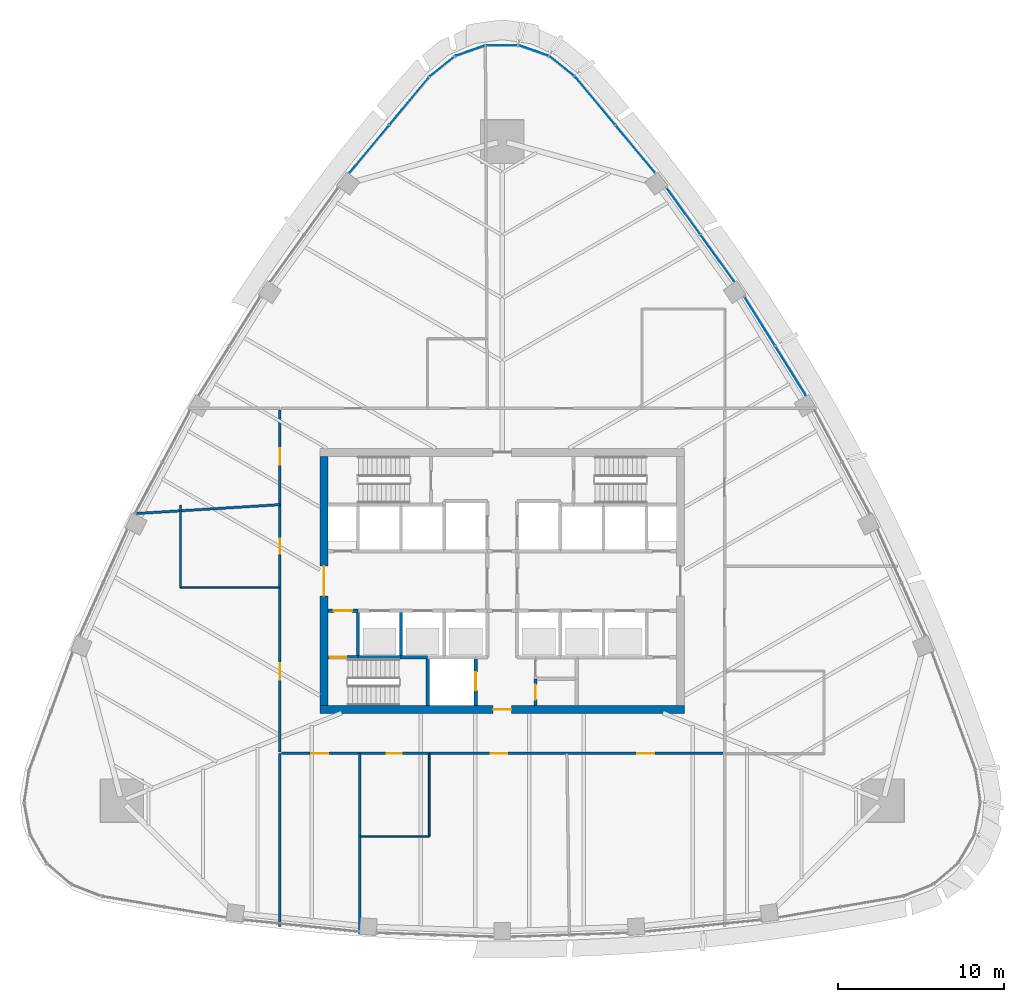
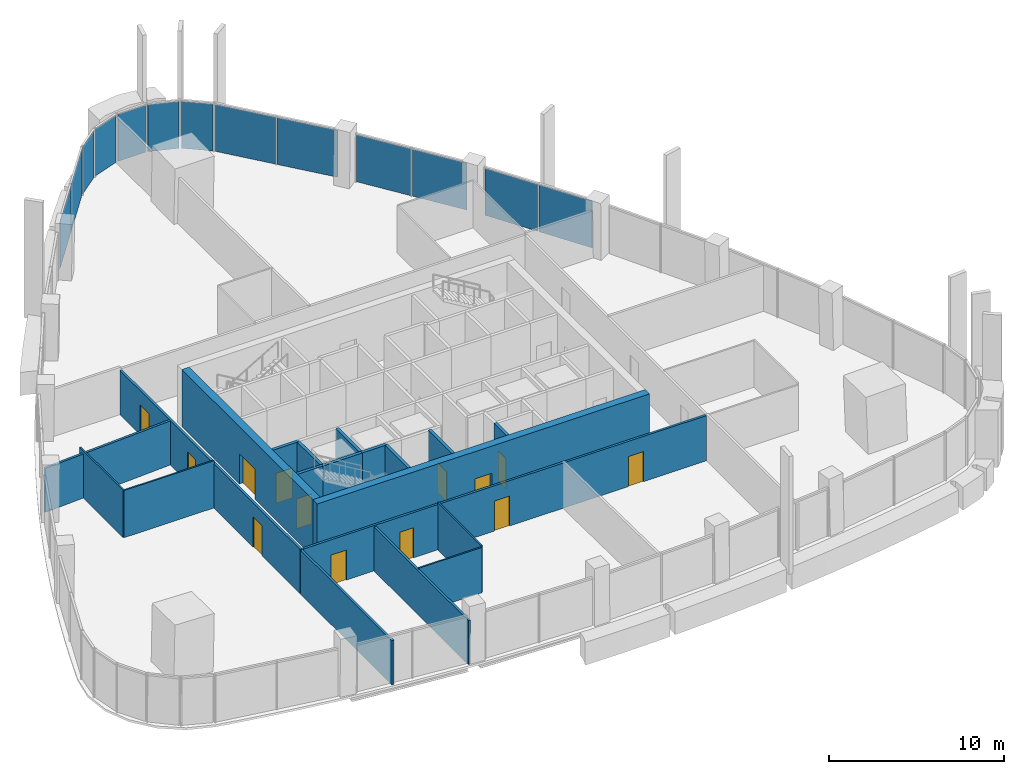
# One storey, part 9 of 17: 20 walls, 13 doors, 13 plates, 13 openings, 9 elements without a shape of their own.
"""IFC4 building model written with IfcOpenShell, lengths in metres."""

from ifc_helpers import new_model, si_unit, direction, frame, frame_2d, origin, origin_2d, place, context, subcontext, project, spatial, rectangle, extrude, material, layer, layer_set, type_object, element, fill, aggregate, save


model = new_model("IFC4")

# Units and contexts
model_context = context("Model", 3, precision=1e-05, world=origin(), true_north=direction((0.0, 1.0)))
body_context = subcontext(model_context, "Body", "Model", "MODEL_VIEW")
ifc_project = project(units=[si_unit("LENGTHUNIT", "METRE"), si_unit("AREAUNIT", "SQUARE_METRE"), si_unit("VOLUMEUNIT", "CUBIC_METRE"), si_unit("PLANEANGLEUNIT", "RADIAN"), si_unit("MASSUNIT", "GRAM", prefix="KILO")], contexts=[model_context])

# Site, building, storey
site_placement = place(None, origin())
site = spatial("IfcSite", under=ifc_project, at=site_placement, CompositionType="ELEMENT")
building_placement = place(site_placement, origin())
building = spatial("IfcBuilding", under=site, at=building_placement, Name="Sierra Prisma Convention Tower", CompositionType="ELEMENT")
storey_placement = place(building_placement, frame((0.0, 0.0, 201.800048828125)))
storey = spatial("IfcBuildingStorey", under=building, at=storey_placement, Name="L45", CompositionType="ELEMENT", Elevation=201.800048828125)

# Curtain wall, plates
ifc_material_1 = material(Name="Aluminium and glass curtain wall", Category="aluminium")
ifc_layer_1 = layer(ifc_material_1, 0.179931640625)
ifc_layer_set_1 = layer_set([ifc_layer_1], Name="CW-1 Plain shaft curtain wall")
curtain_wall_type = type_object("IfcCurtainWallType", Name="CW-1 Plain shaft curtain wall", PredefinedType="NOTDEFINED", material=ifc_layer_set_1)
curtain_wall_1_placement = place(storey_placement, origin())
curtain_wall_1 = element("IfcCurtainWall", 1, at=curtain_wall_1_placement, inside=storey, type_object=curtain_wall_type, Name="CW-1 NE4 L45", PredefinedType="NOTDEFINED")
ifc_material_2 = material(Name="Tinted glass bronze-grey IGU", Category="glass")
ifc_layer_2 = layer(ifc_material_2, 0.028076171875)
ifc_layer_set_2 = layer_set([ifc_layer_2], Name="CW-1 glass panel")
plate_type = type_object("IfcPlateType", Name="CW-1 glass panel", PredefinedType="CURTAIN_PANEL", material=ifc_layer_set_2)
plate_1_placement = place(storey_placement, frame((17.379150390625, 12.67724609375, 0.0), z_axis=(0.0, 0.0, 1.0), x_axis=(-0.529086185353, 0.848568093007, 0.0)))
plate_1 = element("IfcPlate", 2, at=plate_1_placement, type_object=plate_type, Name="CW-1 panel NE4.1", PredefinedType="CURTAIN_PANEL", context=body_context, shape_type="SweptSolid", body=[
    extrude(rectangle(XDim=3.44091796875, YDim=0.028076171875, at=origin_2d()), origin(), (0.0, 0.0, 1.0), 3.280029296875),
])
plate_2_placement = place(storey_placement, frame((15.521728515625, 15.65625, 0.0), z_axis=(0.0, 0.0, 1.0), x_axis=(-0.529086185353, 0.848568093007, 0.0)))
plate_2 = element("IfcPlate", 3, at=plate_2_placement, type_object=plate_type, Name="CW-1 panel NE4.2", PredefinedType="CURTAIN_PANEL", context=body_context, shape_type="SweptSolid", body=[
    extrude(rectangle(XDim=3.44091796875, YDim=0.028076171875, at=origin_2d()), origin(), (0.0, 0.0, 1.0), 3.280029296875),
])
aggregate(curtain_wall_1, [plate_1, plate_2])

curtain_wall_2_placement = place(storey_placement, origin())
curtain_wall_2 = element("IfcCurtainWall", 4, at=curtain_wall_2_placement, inside=storey, type_object=curtain_wall_type, Name="CW-1 NE5 L45", PredefinedType="NOTDEFINED")
plate_3_placement = place(storey_placement, frame((12.967041015625, 19.4609375, 0.0), z_axis=(0.0, 0.0, 1.0), x_axis=(-0.585399225548, 0.810745179898, 0.0)))
plate_3 = element("IfcPlate", 5, at=plate_3_placement, type_object=plate_type, Name="CW-1 panel NE5.1", PredefinedType="CURTAIN_PANEL", context=body_context, shape_type="SweptSolid", body=[
    extrude(rectangle(XDim=3.425537109375, YDim=0.028076171875, at=origin_2d()), origin(), (0.0, 0.0, 1.0), 3.280029296875),
])
plate_4_placement = place(storey_placement, frame((10.9208984375, 22.294921875, 0.0), z_axis=(0.0, 0.0, 1.0), x_axis=(-0.585399225548, 0.810745179898, 0.0)))
plate_4 = element("IfcPlate", 6, at=plate_4_placement, type_object=plate_type, Name="CW-1 panel NE5.2", PredefinedType="CURTAIN_PANEL", context=body_context, shape_type="SweptSolid", body=[
    extrude(rectangle(XDim=3.425537109375, YDim=0.028076171875, at=origin_2d()), origin(), (0.0, 0.0, 1.0), 3.280029296875),
])
aggregate(curtain_wall_2, [plate_3, plate_4])

curtain_wall_3_placement = place(storey_placement, origin())
curtain_wall_3 = element("IfcCurtainWall", 7, at=curtain_wall_3_placement, inside=storey, type_object=curtain_wall_type, Name="CW-1 NE6 L45", PredefinedType="NOTDEFINED")
plate_5_placement = place(storey_placement, frame((8.01416015625, 26.04052734375, 0.0), z_axis=(0.0, 0.0, 1.0), x_axis=(-0.639018415832, 0.769191435358, 0.0)))
plate_5 = element("IfcPlate", 8, at=plate_5_placement, type_object=plate_type, Name="CW-1 panel NE6.1", PredefinedType="CURTAIN_PANEL", context=body_context, shape_type="SweptSolid", body=[
    extrude(rectangle(XDim=3.69677734375, YDim=0.028076171875, at=origin_2d()), origin(), (0.0, 0.0, 1.0), 3.280029296875),
])
plate_6_placement = place(storey_placement, frame((5.60693359375, 28.93798828125, 0.0), z_axis=(0.0, 0.0, 1.0), x_axis=(-0.639018415832, 0.769191435358, 0.0)))
plate_6 = element("IfcPlate", 9, at=plate_6_placement, type_object=plate_type, Name="CW-1 panel NE6.2", PredefinedType="CURTAIN_PANEL", context=body_context, shape_type="SweptSolid", body=[
    extrude(rectangle(XDim=3.69677734375, YDim=0.028076171875, at=origin_2d()), origin(), (0.0, 0.0, 1.0), 3.280029296875),
])
aggregate(curtain_wall_3, [plate_5, plate_6])

# Curtain wall, plate
curtain_wall_4_placement = place(storey_placement, origin())
curtain_wall_4 = element("IfcCurtainWall", 10, at=curtain_wall_4_placement, inside=storey, type_object=curtain_wall_type, Name="CW-1 N1 L45", PredefinedType="NOTDEFINED")
plate_7_placement = place(storey_placement, frame((3.612060546875, 31.029052734375, 0.0), z_axis=(0.0, 0.0, 1.0), x_axis=(-0.780756777568, 0.624835061661, 0.0)))
plate_7 = element("IfcPlate", 11, at=plate_7_placement, type_object=plate_type, Name="CW-1 panel N1.1", PredefinedType="CURTAIN_PANEL", context=body_context, shape_type="SweptSolid", body=[
    extrude(rectangle(XDim=1.82958984375, YDim=0.028076171875, at=origin_2d()), origin(), (0.0, 0.0, 1.0), 3.280029296875),
])
aggregate(curtain_wall_4, [plate_7])

curtain_wall_5_placement = place(storey_placement, origin())
curtain_wall_5 = element("IfcCurtainWall", 12, at=curtain_wall_5_placement, inside=storey, type_object=curtain_wall_type, Name="CW-1 N2 L45", PredefinedType="NOTDEFINED")
plate_8_placement = place(storey_placement, frame((1.9140625, 31.970458984375, 0.0), z_axis=(0.0, 0.0, 1.0), x_axis=(-0.943598637549, 0.331091545068, 0.0)))
plate_8 = element("IfcPlate", 13, at=plate_8_placement, type_object=plate_type, Name="CW-1 panel N2.1", PredefinedType="CURTAIN_PANEL", context=body_context, shape_type="SweptSolid", body=[
    extrude(rectangle(XDim=1.82958984375, YDim=0.028076171875, at=origin_2d()), origin(), (0.0, 0.0, 1.0), 3.280029296875),
])
aggregate(curtain_wall_5, [plate_8])

curtain_wall_6_placement = place(storey_placement, origin())
curtain_wall_6 = element("IfcCurtainWall", 14, at=curtain_wall_6_placement, inside=storey, type_object=curtain_wall_type, Name="CW-1 N3 L45", PredefinedType="NOTDEFINED")
plate_9_placement = place(storey_placement, frame((0.0, 32.29638671875, 0.0), z_axis=(0.0, 0.0, 1.0), x_axis=(-1.0, 0.0, 0.0)))
plate_9 = element("IfcPlate", 15, at=plate_9_placement, type_object=plate_type, Name="CW-1 panel N3.1", PredefinedType="CURTAIN_PANEL", context=body_context, shape_type="SweptSolid", body=[
    extrude(rectangle(XDim=1.82958984375, YDim=0.028076171875, at=origin_2d()), origin(), (0.0, 0.0, 1.0), 3.280029296875),
])
aggregate(curtain_wall_6, [plate_9])

curtain_wall_7_placement = place(storey_placement, origin())
curtain_wall_7 = element("IfcCurtainWall", 16, at=curtain_wall_7_placement, inside=storey, type_object=curtain_wall_type, Name="CW-1 N4 L45", PredefinedType="NOTDEFINED")
plate_10_placement = place(storey_placement, frame((-1.9140625, 31.970458984375, 0.0), z_axis=(0.0, 0.0, 1.0), x_axis=(-0.943598637549, -0.331091545068, 0.0)))
plate_10 = element("IfcPlate", 17, at=plate_10_placement, type_object=plate_type, Name="CW-1 panel N4.1", PredefinedType="CURTAIN_PANEL", context=body_context, shape_type="SweptSolid", body=[
    extrude(rectangle(XDim=1.82958984375, YDim=0.028076171875, at=origin_2d()), origin(), (0.0, 0.0, 1.0), 3.280029296875),
])
aggregate(curtain_wall_7, [plate_10])

curtain_wall_8_placement = place(storey_placement, origin())
curtain_wall_8 = element("IfcCurtainWall", 18, at=curtain_wall_8_placement, inside=storey, type_object=curtain_wall_type, Name="CW-1 N5 L45", PredefinedType="NOTDEFINED")
plate_11_placement = place(storey_placement, frame((-3.612060546875, 31.029052734375, 0.0), z_axis=(0.0, 0.0, 1.0), x_axis=(-0.780756777568, -0.624835061661, 0.0)))
plate_11 = element("IfcPlate", 19, at=plate_11_placement, type_object=plate_type, Name="CW-1 panel N5.1", PredefinedType="CURTAIN_PANEL", context=body_context, shape_type="SweptSolid", body=[
    extrude(rectangle(XDim=1.82958984375, YDim=0.028076171875, at=origin_2d()), origin(), (0.0, 0.0, 1.0), 3.280029296875),
])
aggregate(curtain_wall_8, [plate_11])

# Curtain wall, plates
curtain_wall_9_placement = place(storey_placement, origin())
curtain_wall_9 = element("IfcCurtainWall", 20, at=curtain_wall_9_placement, inside=storey, type_object=curtain_wall_type, Name="CW-1 NW1 L45", PredefinedType="NOTDEFINED")
plate_12_placement = place(storey_placement, frame((-5.60693359375, 28.93798828125, 0.0), z_axis=(0.0, 0.0, 1.0), x_axis=(-0.639018415832, -0.769191435358, 0.0)))
plate_12 = element("IfcPlate", 21, at=plate_12_placement, type_object=plate_type, Name="CW-1 panel NW1.1", PredefinedType="CURTAIN_PANEL", context=body_context, shape_type="SweptSolid", body=[
    extrude(rectangle(XDim=3.69677734375, YDim=0.028076171875, at=origin_2d()), origin(), (0.0, 0.0, 1.0), 3.280029296875),
])
plate_13_placement = place(storey_placement, frame((-8.01416015625, 26.04052734375, 0.0), z_axis=(0.0, 0.0, 1.0), x_axis=(-0.639018415832, -0.769191435358, 0.0)))
plate_13 = element("IfcPlate", 22, at=plate_13_placement, type_object=plate_type, Name="CW-1 panel NW1.2", PredefinedType="CURTAIN_PANEL", context=body_context, shape_type="SweptSolid", body=[
    extrude(rectangle(XDim=3.69677734375, YDim=0.028076171875, at=origin_2d()), origin(), (0.0, 0.0, 1.0), 3.280029296875),
])
aggregate(curtain_wall_9, [plate_12, plate_13])

# Walls
ifc_material_3 = material(Name="Gypsum board partition", Category="gypsum")
ifc_layer_3 = layer(ifc_material_3, 0.10009765625)
ifc_layer_set_3 = layer_set([ifc_layer_3], Name="Bathroom partition 100")
wall_type_1 = type_object("IfcWallType", Name="Bathroom partition 100", PredefinedType="PARTITIONING", material=ifc_layer_set_3)
wall_1_placement = place(storey_placement, frame((-13.429931640625, -0.39990234375, 0.0), z_axis=(0.0, 0.0, 1.0), x_axis=(-1.0, 0.0, 0.0)))
element("IfcWall", 23, at=wall_1_placement, inside=storey, type_object=wall_type_1, Name="Partition L45 bath 1", PredefinedType="PARTITIONING", context=body_context, shape_type="SweptSolid", body=[
    extrude(rectangle(XDim=5.969970703125, YDim=0.10009765625, at=frame_2d((2.98486328125, 0.0))), origin(), (0.0, 0.0, 1.0), 3.300048828125),
])
for number, where, z_axis, x_axis, name in (
    (24, (-19.39990234375, -0.39990234375, 0.0), (0.0, 0.0, 1.0), (0.0, 1.0, 0.0), "Partition L45 bath 2"),
    (25, (-4.39990234375, -10.429931640625, 0.0), (0.0, 0.0, 1.0), (0.0, -1.0, 0.0), "Partition L45 bath 3"),
):
    element("IfcWall", number, at=place(storey_placement, frame(where, z_axis=z_axis, x_axis=x_axis)), inside=storey, type_object=wall_type_1, Name=name, PredefinedType="PARTITIONING", context=body_context, shape_type="SweptSolid", body=[
        extrude(rectangle(XDim=4.969970703125, YDim=0.10009765625, at=frame_2d((2.48486328125, 0.0))), origin(), (0.0, 0.0, 1.0), 3.300048828125),
    ])
wall_2_placement = place(storey_placement, frame((-4.39990234375, -15.39990234375, 0.0), z_axis=(0.0, 0.0, 1.0), x_axis=(-1.0, 0.0, 0.0)))
element("IfcWall", 26, at=wall_2_placement, inside=storey, type_object=wall_type_1, Name="Partition L45 bath 4", PredefinedType="PARTITIONING", context=body_context, shape_type="SweptSolid", body=[
    extrude(rectangle(XDim=4.170166015625, YDim=0.10009765625, at=frame_2d((2.0849609375, 0.0))), origin(), (0.0, 0.0, 1.0), 3.1669921875),
])

# Wall, opening, door
ifc_material_4 = material(Name="Concrete C30/37", Category="concrete")
ifc_layer_4 = layer(ifc_material_4, 0.199951171875)
ifc_layer_set_4 = layer_set([ifc_layer_4], Name="Core wall RC 200 C30/37")
wall_type_2 = type_object("IfcWallType", Name="Core wall RC 200 C30/37", PredefinedType="SOLIDWALL", material=ifc_layer_set_4)
wall_3_placement = place(storey_placement, frame((-10.5, -4.60009765625, 0.0), z_axis=(0.0, 0.0, 1.0), x_axis=(1.0, 0.0, 0.0)))
wall_3 = element("IfcWall", 27, at=wall_3_placement, inside=storey, type_object=wall_type_2, Name="Core wall L45 1", PredefinedType="SOLIDWALL", context=body_context, shape_type="SweptSolid", body=[
    extrude(rectangle(XDim=1.800048828125, YDim=0.199951171875, at=frame_2d((0.89990234375, 0.0))), origin(), (0.0, 0.0, 1.0), 3.849853515625),
])
opening_1_placement = place(wall_3_placement, frame((0.10009765625, 0.0, 0.0)))
opening_1 = element("IfcOpeningElement", 28, at=opening_1_placement, cuts=wall_3, Name="Opening L45-D017", PredefinedType="OPENING", context=body_context, shape_type="SweptSolid", body=[
    extrude(rectangle(XDim=1.0, YDim=2.10009765625, at=frame_2d((0.5, 1.050048828125))), frame((0.0, 0.10009765625, 0.0), z_axis=(0.0, -1.0, 0.0), x_axis=(1.0, 0.0, 0.0)), (0.0, 0.0, 1.0), 0.199951171875),
])
ifc_material_5 = material(Name="Steel fire door leaf", Category="steel")
door_type_1 = type_object("IfcDoorType", Name="Door 1000x2100 FD90S", OperationType="SINGLE_SWING_LEFT", PredefinedType="DOOR", material=ifc_material_5)
door_1_placement = place(opening_1_placement, origin())
door_1 = element("IfcDoor", 29, at=door_1_placement, inside=storey, type_object=door_type_1, Name="Door L45 31", OperationType="SINGLE_SWING_LEFT", OverallHeight=2.10009765625, OverallWidth=1.0, PredefinedType="DOOR", context=body_context, shape_type="SweptSolid", body=[
    extrude(rectangle(XDim=1.0, YDim=2.10009765625, at=frame_2d((0.5, 1.050048828125))), frame((0.0, 0.02490234375, 0.0), z_axis=(0.0, -1.0, 0.0), x_axis=(1.0, 0.0, 0.0)), (0.0, 0.0, 1.0), 0.050048828125),
])
fill(opening_1, door_1)

wall_4_placement = place(storey_placement, frame((-10.5, -1.800048828125, 0.0), z_axis=(0.0, 0.0, 1.0), x_axis=(1.0, 0.0, 0.0)))
wall_4 = element("IfcWall", 30, at=wall_4_placement, inside=storey, type_object=wall_type_2, Name="Core wall L45 2", PredefinedType="SOLIDWALL", context=body_context, shape_type="SweptSolid", body=[
    extrude(rectangle(XDim=1.800048828125, YDim=0.199951171875, at=frame_2d((0.89990234375, 0.0))), origin(), (0.0, 0.0, 1.0), 3.849853515625),
])
opening_2_placement = place(wall_4_placement, frame((0.35009765625, 0.0, 0.0)))
opening_2 = element("IfcOpeningElement", 31, at=opening_2_placement, cuts=wall_4, Name="Opening L45-D012", PredefinedType="OPENING", context=body_context, shape_type="SweptSolid", body=[
    extrude(rectangle(XDim=1.10009765625, YDim=2.10009765625, at=frame_2d((0.550048828125, 1.050048828125))), frame((0.0, 0.10009765625, 0.0), z_axis=(0.0, -1.0, 0.0), x_axis=(1.0, 0.0, 0.0)), (0.0, 0.0, 1.0), 0.199951171875),
])
ifc_material_6 = material(Name="Steel fire door leaf", Category="steel")
door_type_2 = type_object("IfcDoorType", Name="Door 1100x2100 FD90S", OperationType="SINGLE_SWING_LEFT", PredefinedType="DOOR", material=ifc_material_6)
door_2_placement = place(opening_2_placement, origin())
door_2 = element("IfcDoor", 32, at=door_2_placement, inside=storey, type_object=door_type_2, Name="Door L45 26", OperationType="SINGLE_SWING_LEFT", OverallHeight=2.10009765625, OverallWidth=1.10009765625, PredefinedType="DOOR", context=body_context, shape_type="SweptSolid", body=[
    extrude(rectangle(XDim=1.10009765625, YDim=2.10009765625, at=frame_2d((0.550048828125, 1.050048828125))), frame((0.0, 0.02490234375, 0.0), z_axis=(0.0, -1.0, 0.0), x_axis=(1.0, 0.0, 0.0)), (0.0, 0.0, 1.0), 0.050048828125),
])
fill(opening_2, door_2)

# Walls
wall_5_placement = place(storey_placement, frame((-8.699951171875, -4.60009765625, 0.0), z_axis=(0.0, 0.0, 1.0), x_axis=(1.0, 0.0, 0.0)))
element("IfcWall", 33, at=wall_5_placement, inside=storey, type_object=wall_type_2, Name="Core wall L45 5", PredefinedType="SOLIDWALL", context=body_context, shape_type="SweptSolid", body=[
    extrude(rectangle(XDim=2.599853515625, YDim=0.199951171875, at=frame_2d((1.2998046875, 0.0))), origin(), (0.0, 0.0, 1.0), 3.849853515625),
])
wall_6_placement = place(storey_placement, frame((-8.699951171875, -4.60009765625, 0.0), z_axis=(0.0, 0.0, 1.0), x_axis=(0.0, 1.0, 0.0)))
element("IfcWall", 34, at=wall_6_placement, inside=storey, type_object=wall_type_2, Name="Core wall L45 6", PredefinedType="SOLIDWALL", context=body_context, shape_type="SweptSolid", body=[
    extrude(rectangle(XDim=2.800048828125, YDim=0.199951171875, at=frame_2d((1.39990234375, 0.0))), origin(), (0.0, 0.0, 1.0), 3.849853515625),
])
wall_7_placement = place(storey_placement, frame((-6.10009765625, -4.60009765625, 0.0), z_axis=(0.0, 0.0, 1.0), x_axis=(1.0, 0.0, 0.0)))
element("IfcWall", 35, at=wall_7_placement, inside=storey, type_object=wall_type_2, Name="Core wall L45 11", PredefinedType="SOLIDWALL", context=body_context, shape_type="SweptSolid", body=[
    extrude(rectangle(XDim=1.60009765625, YDim=0.199951171875, at=frame_2d((0.800048828125, 0.0))), origin(), (0.0, 0.0, 1.0), 3.849853515625),
])
wall_8_placement = place(storey_placement, frame((-6.10009765625, -4.60009765625, 0.0), z_axis=(0.0, 0.0, 1.0), x_axis=(0.0, 1.0, 0.0)))
element("IfcWall", 36, at=wall_8_placement, inside=storey, type_object=wall_type_2, Name="Core wall L45 12", PredefinedType="SOLIDWALL", context=body_context, shape_type="SweptSolid", body=[
    extrude(rectangle(XDim=2.800048828125, YDim=0.199951171875, at=frame_2d((1.39990234375, 0.0))), origin(), (0.0, 0.0, 1.0), 3.849853515625),
])
wall_9_placement = place(storey_placement, frame((-4.5, -4.60009765625, 0.0), z_axis=(0.0, 0.0, 1.0), x_axis=(0.0, -1.0, 0.0)))
element("IfcWall", 37, at=wall_9_placement, inside=storey, type_object=wall_type_2, Name="Core wall L45 17", PredefinedType="SOLIDWALL", context=body_context, shape_type="SweptSolid", body=[
    extrude(rectangle(XDim=2.89990234375, YDim=0.199951171875, at=frame_2d((1.449951171875, 0.0))), origin(), (0.0, 0.0, 1.0), 3.849853515625),
])

# Wall, opening, door
wall_10_placement = place(storey_placement, frame((-1.60009765625, -7.5, 0.0), z_axis=(0.0, 0.0, 1.0), x_axis=(0.0, 1.0, 0.0)))
wall_10 = element("IfcWall", 38, at=wall_10_placement, inside=storey, type_object=wall_type_2, Name="Core wall L45 29", PredefinedType="SOLIDWALL", context=body_context, shape_type="SweptSolid", body=[
    extrude(rectangle(XDim=2.89990234375, YDim=0.199951171875, at=frame_2d((1.449951171875, 0.0))), origin(), (0.0, 0.0, 1.0), 3.849853515625),
])
opening_3_placement = place(wall_10_placement, frame((0.89990234375, 0.0, 0.0)))
opening_3 = element("IfcOpeningElement", 39, at=opening_3_placement, cuts=wall_10, Name="Opening L45-D009", PredefinedType="OPENING", context=body_context, shape_type="SweptSolid", body=[
    extrude(rectangle(XDim=1.10009765625, YDim=2.10009765625, at=frame_2d((0.550048828125, 1.050048828125))), frame((0.0, 0.10009765625, 0.0), z_axis=(0.0, -1.0, 0.0), x_axis=(1.0, 0.0, 0.0)), (0.0, 0.0, 1.0), 0.199951171875),
])
ifc_material_7 = material(Name="Steel fire door leaf", Category="steel")
door_type_3 = type_object("IfcDoorType", Name="Door 1100x2100 EI 90 sliding lift landing", OperationType="SLIDING_TO_LEFT", PredefinedType="DOOR", material=ifc_material_7)
door_3_placement = place(opening_3_placement, origin())
door_3 = element("IfcDoor", 40, at=door_3_placement, inside=storey, type_object=door_type_3, Name="Door L45 23", OperationType="SLIDING_TO_RIGHT", OverallHeight=2.10009765625, OverallWidth=1.10009765625, PredefinedType="DOOR", context=body_context, shape_type="SweptSolid", body=[
    extrude(rectangle(XDim=1.10009765625, YDim=2.10009765625, at=frame_2d((0.550048828125, 1.050048828125))), frame((0.0, 0.02490234375, 0.0), z_axis=(0.0, -1.0, 0.0), x_axis=(1.0, 0.0, 0.0)), (0.0, 0.0, 1.0), 0.050048828125),
])
fill(opening_3, door_3)

wall_11_placement = place(storey_placement, frame((2.0, -5.89990234375, 0.0), z_axis=(0.0, 0.0, 1.0), x_axis=(0.0, -1.0, 0.0)))
wall_11 = element("IfcWall", 41, at=wall_11_placement, inside=storey, type_object=wall_type_2, Name="Core wall L45 43", PredefinedType="SOLIDWALL", context=body_context, shape_type="SweptSolid", body=[
    extrude(rectangle(XDim=1.60009765625, YDim=0.199951171875, at=frame_2d((0.800048828125, 0.0))), origin(), (0.0, 0.0, 1.0), 3.849853515625),
])
opening_4_placement = place(wall_11_placement, frame((0.35009765625, 0.0, 0.0)))
opening_4 = element("IfcOpeningElement", 42, at=opening_4_placement, cuts=wall_11, Name="Opening L45-D022", PredefinedType="OPENING", context=body_context, shape_type="SweptSolid", body=[
    extrude(rectangle(XDim=0.89990234375, YDim=2.10009765625, at=frame_2d((0.449951171875, 1.050048828125))), frame((0.0, 0.10009765625, 0.0), z_axis=(0.0, -1.0, 0.0), x_axis=(1.0, 0.0, 0.0)), (0.0, 0.0, 1.0), 0.199951171875),
])
ifc_material_8 = material(Name="Steel fire door leaf", Category="steel")
door_type_4 = type_object("IfcDoorType", Name="Door 900x2100 FD30S", OperationType="SINGLE_SWING_LEFT", PredefinedType="DOOR", material=ifc_material_8)
door_4_placement = place(opening_4_placement, origin())
door_4 = element("IfcDoor", 43, at=door_4_placement, inside=storey, type_object=door_type_4, Name="Door L45 36", OperationType="SINGLE_SWING_LEFT", OverallHeight=2.10009765625, OverallWidth=0.89990234375, PredefinedType="DOOR", context=body_context, shape_type="SweptSolid", body=[
    extrude(rectangle(XDim=0.89990234375, YDim=2.10009765625, at=frame_2d((0.449951171875, 1.050048828125))), frame((0.0, 0.02490234375, 0.0), z_axis=(0.0, -1.0, 0.0), x_axis=(1.0, 0.0, 0.0)), (0.0, 0.0, 1.0), 0.050048828125),
])
fill(opening_4, door_4)

ifc_material_9 = material(Name="Concrete C60/75", Category="concrete")
ifc_layer_5 = layer(ifc_material_9, 0.5)
ifc_layer_set_5 = layer_set([ifc_layer_5], Name="Core wall RC 500 C60/75")
wall_type_3 = type_object("IfcWallType", Name="Core wall RC 500 C60/75", PredefinedType="SHEAR", material=ifc_layer_set_5)
wall_12_placement = place(storey_placement, frame((-11.0, -7.75, 0.0), z_axis=(0.0, 0.0, 1.0), x_axis=(1.0, 0.0, 0.0)))
wall_12 = element("IfcWall", 44, at=wall_12_placement, inside=storey, type_object=wall_type_3, Name="Core wall S L45", PredefinedType="SHEAR", context=body_context, shape_type="SweptSolid", body=[
    extrude(rectangle(XDim=22.0, YDim=0.5, at=frame_2d((11.0, 0.0))), origin(), (0.0, 0.0, 1.0), 4.0),
])
opening_5_placement = place(wall_12_placement, frame((10.449951171875, 0.0, 0.0)))
opening_5 = element("IfcOpeningElement", 45, at=opening_5_placement, cuts=wall_12, Name="Opening L45-D040", PredefinedType="OPENING", context=body_context, shape_type="SweptSolid", body=[
    extrude(rectangle(XDim=1.10009765625, YDim=2.10009765625, at=frame_2d((0.550048828125, 1.050048828125))), frame((0.0, 0.25, 0.0), z_axis=(0.0, -1.0, 0.0), x_axis=(1.0, 0.0, 0.0)), (0.0, 0.0, 1.0), 0.5),
])
ifc_material_10 = material(Name="Steel fire door leaf", Category="steel")
door_type_5 = type_object("IfcDoorType", Name="Door 1100x2100 FD30S", OperationType="SINGLE_SWING_LEFT", PredefinedType="DOOR", material=ifc_material_10)
door_5_placement = place(opening_5_placement, origin())
door_5 = element("IfcDoor", 46, at=door_5_placement, inside=storey, type_object=door_type_5, Name="Door L45 41", OperationType="SINGLE_SWING_LEFT", OverallHeight=2.10009765625, OverallWidth=1.10009765625, PredefinedType="DOOR", context=body_context, shape_type="SweptSolid", body=[
    extrude(rectangle(XDim=1.10009765625, YDim=2.10009765625, at=frame_2d((0.550048828125, 1.050048828125))), frame((0.0, 0.02490234375, 0.0), z_axis=(0.0, -1.0, 0.0), x_axis=(1.0, 0.0, 0.0)), (0.0, 0.0, 1.0), 0.050048828125),
])
fill(opening_5, door_5)

wall_13_placement = place(storey_placement, frame((-10.75, -7.5, 0.0), z_axis=(0.0, 0.0, 1.0), x_axis=(0.0, 1.0, 0.0)))
wall_13 = element("IfcWall", 47, at=wall_13_placement, inside=storey, type_object=wall_type_3, Name="Core wall W L45", PredefinedType="SHEAR", context=body_context, shape_type="SweptSolid", body=[
    extrude(rectangle(XDim=15.0, YDim=0.5, at=frame_2d((7.5, 0.0))), origin(), (0.0, 0.0, 1.0), 4.0),
])
opening_6_placement = place(wall_13_placement, frame((6.60009765625, 0.0, 0.0)))
opening_6 = element("IfcOpeningElement", 48, at=opening_6_placement, cuts=wall_13, Name="Opening L45-D041", PredefinedType="OPENING", context=body_context, shape_type="SweptSolid", body=[
    extrude(rectangle(XDim=1.800048828125, YDim=2.10009765625, at=frame_2d((0.89990234375, 1.050048828125))), frame((0.0, 0.25, 0.0), z_axis=(0.0, -1.0, 0.0), x_axis=(1.0, 0.0, 0.0)), (0.0, 0.0, 1.0), 0.5),
])
ifc_material_11 = material(Name="Steel fire door leaf", Category="steel")
door_type_6 = type_object("IfcDoorType", Name="Door 1800x2100 FD60S", OperationType="DOUBLE_DOOR_SINGLE_SWING", PredefinedType="DOOR", material=ifc_material_11)
door_6_placement = place(opening_6_placement, origin())
door_6 = element("IfcDoor", 49, at=door_6_placement, inside=storey, type_object=door_type_6, Name="Door L45 38", OperationType="DOUBLE_DOOR_SINGLE_SWING", OverallHeight=2.10009765625, OverallWidth=1.800048828125, PredefinedType="DOOR", context=body_context, shape_type="SweptSolid", body=[
    extrude(rectangle(XDim=1.800048828125, YDim=2.10009765625, at=frame_2d((0.89990234375, 1.050048828125))), frame((0.0, 0.02490234375, 0.0), z_axis=(0.0, -1.0, 0.0), x_axis=(1.0, 0.0, 0.0)), (0.0, 0.0, 1.0), 0.050048828125),
])
fill(opening_6, door_6)

# Wall, openings, doors
ifc_material_12 = material(Name="Gypsum board partition", Category="gypsum")
ifc_layer_6 = layer(ifc_material_12, 0.14990234375)
ifc_layer_set_6 = layer_set([ifc_layer_6], Name="Corridor wall 150 gypsum EI 60")
wall_type_4 = type_object("IfcWallType", Name="Corridor wall 150 gypsum EI 60", PredefinedType="PARTITIONING", material=ifc_layer_set_6)
wall_14_placement = place(storey_placement, frame((-13.39990234375, 10.320068359375, 0.0), z_axis=(0.0, 0.0, 1.0), x_axis=(0.0, -1.0, 0.0)))
wall_14 = element("IfcWall", 50, at=wall_14_placement, inside=storey, type_object=wall_type_4, Name="Partition L45 corr 1", PredefinedType="PARTITIONING", context=body_context, shape_type="SweptSolid", body=[
    extrude(rectangle(XDim=20.64013671875, YDim=0.14990234375, at=frame_2d((10.320068359375, 0.0))), origin(), (0.0, 0.0, 1.0), 3.096923828125),
])
opening_7_placement = place(wall_14_placement, frame((2.320068359375, 0.0, 0.0)))
opening_7 = element("IfcOpeningElement", 51, at=opening_7_placement, cuts=wall_14, Name="Opening L45-D029", PredefinedType="OPENING", context=body_context, shape_type="SweptSolid", body=[
    extrude(rectangle(XDim=1.0, YDim=2.10009765625, at=frame_2d((0.5, 1.050048828125))), frame((0.0, 0.074951171875, 0.0), z_axis=(0.0, -1.0, 0.0), x_axis=(1.0, 0.0, 0.0)), (0.0, 0.0, 1.0), 0.14990234375),
])
opening_8_placement = place(wall_14_placement, frame((7.77001953125, 0.0, 0.0)))
opening_8 = element("IfcOpeningElement", 52, at=opening_8_placement, cuts=wall_14, Name="Opening L45-D030", PredefinedType="OPENING", context=body_context, shape_type="SweptSolid", body=[
    extrude(rectangle(XDim=0.89990234375, YDim=2.10009765625, at=frame_2d((0.449951171875, 1.050048828125))), frame((0.0, 0.074951171875, 0.0), z_axis=(0.0, -1.0, 0.0), x_axis=(1.0, 0.0, 0.0)), (0.0, 0.0, 1.0), 0.14990234375),
])
opening_9_placement = place(wall_14_placement, frame((15.280029296875, 0.0, 0.0)))
opening_9 = element("IfcOpeningElement", 53, at=opening_9_placement, cuts=wall_14, Name="Opening L45-D031", PredefinedType="OPENING", context=body_context, shape_type="SweptSolid", body=[
    extrude(rectangle(XDim=1.0, YDim=2.10009765625, at=frame_2d((0.5, 1.050048828125))), frame((0.0, 0.074951171875, 0.0), z_axis=(0.0, -1.0, 0.0), x_axis=(1.0, 0.0, 0.0)), (0.0, 0.0, 1.0), 0.14990234375),
])
ifc_material_13 = material(Name="Steel fire door leaf", Category="steel")
door_type_7 = type_object("IfcDoorType", Name="Door 1000x2100 FD30S", OperationType="SINGLE_SWING_LEFT", PredefinedType="DOOR", material=ifc_material_13)
door_7_placement = place(opening_7_placement, origin())
door_7 = element("IfcDoor", 54, at=door_7_placement, inside=storey, type_object=door_type_7, Name="Door L45 6", OperationType="SINGLE_SWING_RIGHT", OverallHeight=2.10009765625, OverallWidth=1.0, PredefinedType="DOOR", context=body_context, shape_type="SweptSolid", body=[
    extrude(rectangle(XDim=1.0, YDim=2.10009765625, at=frame_2d((0.5, 1.050048828125))), frame((0.0, 0.02490234375, 0.0), z_axis=(0.0, -1.0, 0.0), x_axis=(1.0, 0.0, 0.0)), (0.0, 0.0, 1.0), 0.050048828125),
])
fill(opening_7, door_7)
door_8_placement = place(opening_9_placement, origin())
door_8 = element("IfcDoor", 55, at=door_8_placement, inside=storey, type_object=door_type_7, Name="Door L45 8", OperationType="SINGLE_SWING_RIGHT", OverallHeight=2.10009765625, OverallWidth=1.0, PredefinedType="DOOR", context=body_context, shape_type="SweptSolid", body=[
    extrude(rectangle(XDim=1.0, YDim=2.10009765625, at=frame_2d((0.5, 1.050048828125))), frame((0.0, 0.02490234375, 0.0), z_axis=(0.0, -1.0, 0.0), x_axis=(1.0, 0.0, 0.0)), (0.0, 0.0, 1.0), 0.050048828125),
])
fill(opening_9, door_8)
door_9_placement = place(opening_8_placement, origin())
door_9 = element("IfcDoor", 56, at=door_9_placement, inside=storey, type_object=door_type_4, Name="Door L45 7", OperationType="SINGLE_SWING_RIGHT", OverallHeight=2.10009765625, OverallWidth=0.89990234375, PredefinedType="DOOR", context=body_context, shape_type="SweptSolid", body=[
    extrude(rectangle(XDim=0.89990234375, YDim=2.10009765625, at=frame_2d((0.449951171875, 1.050048828125))), frame((0.0, 0.02490234375, 0.0), z_axis=(0.0, -1.0, 0.0), x_axis=(1.0, 0.0, 0.0)), (0.0, 0.0, 1.0), 0.050048828125),
])
fill(opening_8, door_9)

wall_15_placement = place(storey_placement, frame((-13.320068359375, -10.39990234375, 0.0), z_axis=(0.0, 0.0, 1.0), x_axis=(1.0, 0.0, 0.0)))
wall_15 = element("IfcWall", 57, at=wall_15_placement, inside=storey, type_object=wall_type_4, Name="Partition L45 corr 2", PredefinedType="PARTITIONING", context=body_context, shape_type="SweptSolid", body=[
    extrude(rectangle(XDim=26.64013671875, YDim=0.14990234375, at=frame_2d((13.320068359375, 0.0))), origin(), (0.0, 0.0, 1.0), 3.1669921875),
])
opening_10_placement = place(wall_15_placement, frame((1.820068359375, 0.0, 0.0)))
opening_10 = element("IfcOpeningElement", 58, at=opening_10_placement, cuts=wall_15, Name="Opening L45-D032", PredefinedType="OPENING", context=body_context, shape_type="SweptSolid", body=[
    extrude(rectangle(XDim=1.0, YDim=2.10009765625, at=frame_2d((0.5, 1.050048828125))), frame((0.0, 0.074951171875, 0.0), z_axis=(0.0, -1.0, 0.0), x_axis=(1.0, 0.0, 0.0)), (0.0, 0.0, 1.0), 0.14990234375),
])
opening_11_placement = place(wall_15_placement, frame((6.3701171875, 0.0, 0.0)))
opening_11 = element("IfcOpeningElement", 59, at=opening_11_placement, cuts=wall_15, Name="Opening L45-D033", PredefinedType="OPENING", context=body_context, shape_type="SweptSolid", body=[
    extrude(rectangle(XDim=0.89990234375, YDim=2.10009765625, at=frame_2d((0.449951171875, 1.050048828125))), frame((0.0, 0.074951171875, 0.0), z_axis=(0.0, -1.0, 0.0), x_axis=(1.0, 0.0, 0.0)), (0.0, 0.0, 1.0), 0.14990234375),
])
opening_12_placement = place(wall_15_placement, frame((12.6201171875, 0.0, 0.0)))
opening_12 = element("IfcOpeningElement", 60, at=opening_12_placement, cuts=wall_15, Name="Opening L45-D034", PredefinedType="OPENING", context=body_context, shape_type="SweptSolid", body=[
    extrude(rectangle(XDim=1.0, YDim=2.10009765625, at=frame_2d((0.5, 1.050048828125))), frame((0.0, 0.074951171875, 0.0), z_axis=(0.0, -1.0, 0.0), x_axis=(1.0, 0.0, 0.0)), (0.0, 0.0, 1.0), 0.14990234375),
])
opening_13_placement = place(wall_15_placement, frame((21.469970703125, 0.0, 0.0)))
opening_13 = element("IfcOpeningElement", 61, at=opening_13_placement, cuts=wall_15, Name="Opening L45-D035", PredefinedType="OPENING", context=body_context, shape_type="SweptSolid", body=[
    extrude(rectangle(XDim=1.0, YDim=2.10009765625, at=frame_2d((0.5, 1.050048828125))), frame((0.0, 0.074951171875, 0.0), z_axis=(0.0, -1.0, 0.0), x_axis=(1.0, 0.0, 0.0)), (0.0, 0.0, 1.0), 0.14990234375),
])
door_10_placement = place(opening_10_placement, origin())
door_10 = element("IfcDoor", 62, at=door_10_placement, inside=storey, type_object=door_type_7, Name="Door L45 9", OperationType="SINGLE_SWING_RIGHT", OverallHeight=2.10009765625, OverallWidth=1.0, PredefinedType="DOOR", context=body_context, shape_type="SweptSolid", body=[
    extrude(rectangle(XDim=1.0, YDim=2.10009765625, at=frame_2d((0.5, 1.050048828125))), frame((0.0, 0.02490234375, 0.0), z_axis=(0.0, -1.0, 0.0), x_axis=(1.0, 0.0, 0.0)), (0.0, 0.0, 1.0), 0.050048828125),
])
fill(opening_10, door_10)
door_11_placement = place(opening_12_placement, origin())
door_11 = element("IfcDoor", 63, at=door_11_placement, inside=storey, type_object=door_type_7, Name="Door L45 11", OperationType="SINGLE_SWING_LEFT", OverallHeight=2.10009765625, OverallWidth=1.0, PredefinedType="DOOR", context=body_context, shape_type="SweptSolid", body=[
    extrude(rectangle(XDim=1.0, YDim=2.10009765625, at=frame_2d((0.5, 1.050048828125))), frame((0.0, 0.02490234375, 0.0), z_axis=(0.0, -1.0, 0.0), x_axis=(1.0, 0.0, 0.0)), (0.0, 0.0, 1.0), 0.050048828125),
])
fill(opening_12, door_11)
door_12_placement = place(opening_13_placement, origin())
door_12 = element("IfcDoor", 64, at=door_12_placement, inside=storey, type_object=door_type_7, Name="Door L45 12", OperationType="SINGLE_SWING_RIGHT", OverallHeight=2.10009765625, OverallWidth=1.0, PredefinedType="DOOR", context=body_context, shape_type="SweptSolid", body=[
    extrude(rectangle(XDim=1.0, YDim=2.10009765625, at=frame_2d((0.5, 1.050048828125))), frame((0.0, 0.02490234375, 0.0), z_axis=(0.0, -1.0, 0.0), x_axis=(1.0, 0.0, 0.0)), (0.0, 0.0, 1.0), 0.050048828125),
])
fill(opening_13, door_12)
door_13_placement = place(opening_11_placement, origin())
door_13 = element("IfcDoor", 65, at=door_13_placement, inside=storey, type_object=door_type_4, Name="Door L45 10", OperationType="SINGLE_SWING_LEFT", OverallHeight=2.10009765625, OverallWidth=0.89990234375, PredefinedType="DOOR", context=body_context, shape_type="SweptSolid", body=[
    extrude(rectangle(XDim=0.89990234375, YDim=2.10009765625, at=frame_2d((0.449951171875, 1.050048828125))), frame((0.0, 0.02490234375, 0.0), z_axis=(0.0, -1.0, 0.0), x_axis=(1.0, 0.0, 0.0)), (0.0, 0.0, 1.0), 0.050048828125),
])
fill(opening_11, door_13)

# Walls
ifc_material_14 = material(Name="Gypsum board partition", Category="gypsum")
ifc_layer_7 = layer(ifc_material_14, 0.14990234375)
ifc_layer_set_7 = layer_set([ifc_layer_7], Name="Party wall 150 gypsum")
wall_type_5 = type_object("IfcWallType", Name="Party wall 150 gypsum", PredefinedType="PARTITIONING", material=ifc_layer_set_7)
wall_16_placement = place(storey_placement, frame((-13.39990234375, 4.60009765625, 0.0), z_axis=(0.0, 0.0, 1.0), x_axis=(-0.998091317923, -0.061755332455, 0.0)))
element("IfcWall", 66, at=wall_16_placement, inside=storey, type_object=wall_type_5, Name="Partition L45 party 1", PredefinedType="PARTITIONING", context=body_context, shape_type="SweptSolid", body=[
    extrude(rectangle(XDim=8.661865234375, YDim=0.14990234375, at=frame_2d((4.3310546875, 0.0))), origin(), (0.0, 0.0, 1.0), 3.083984375),
])
wall_17_placement = place(storey_placement, frame((-13.39990234375, -10.39990234375, 0.0), z_axis=(0.0, 0.0, 1.0), x_axis=(0.0, -1.0, 0.0)))
element("IfcWall", 67, at=wall_17_placement, inside=storey, type_object=wall_type_5, Name="Partition L45 party 3", PredefinedType="PARTITIONING", context=body_context, shape_type="SweptSolid", body=[
    extrude(rectangle(XDim=10.440185546875, YDim=0.14990234375, at=frame_2d((5.22021484375, 0.0))), origin(), (0.0, 0.0, 1.0), 3.083984375),
])
wall_18_placement = place(storey_placement, frame((-8.60009765625, -10.39990234375, 0.0), z_axis=(0.0, 0.0, 1.0), x_axis=(0.0, -1.0, 0.0)))
element("IfcWall", 68, at=wall_18_placement, inside=storey, type_object=wall_type_5, Name="Partition L45 party 4", PredefinedType="PARTITIONING", context=body_context, shape_type="SweptSolid", body=[
    extrude(rectangle(XDim=10.886474609375, YDim=0.14990234375, at=frame_2d((5.443359375, 0.0))), origin(), (0.0, 0.0, 1.0), 3.083984375),
])

save(model, "model.ifc")
